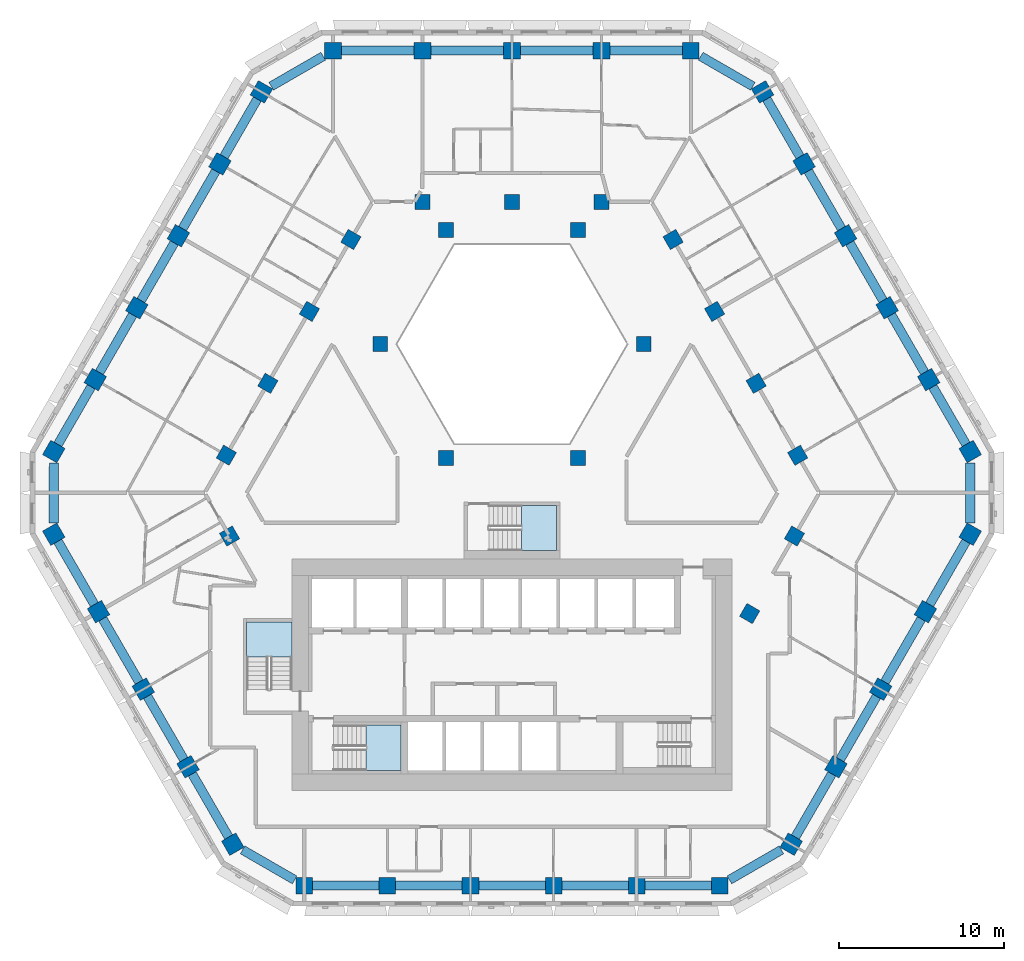
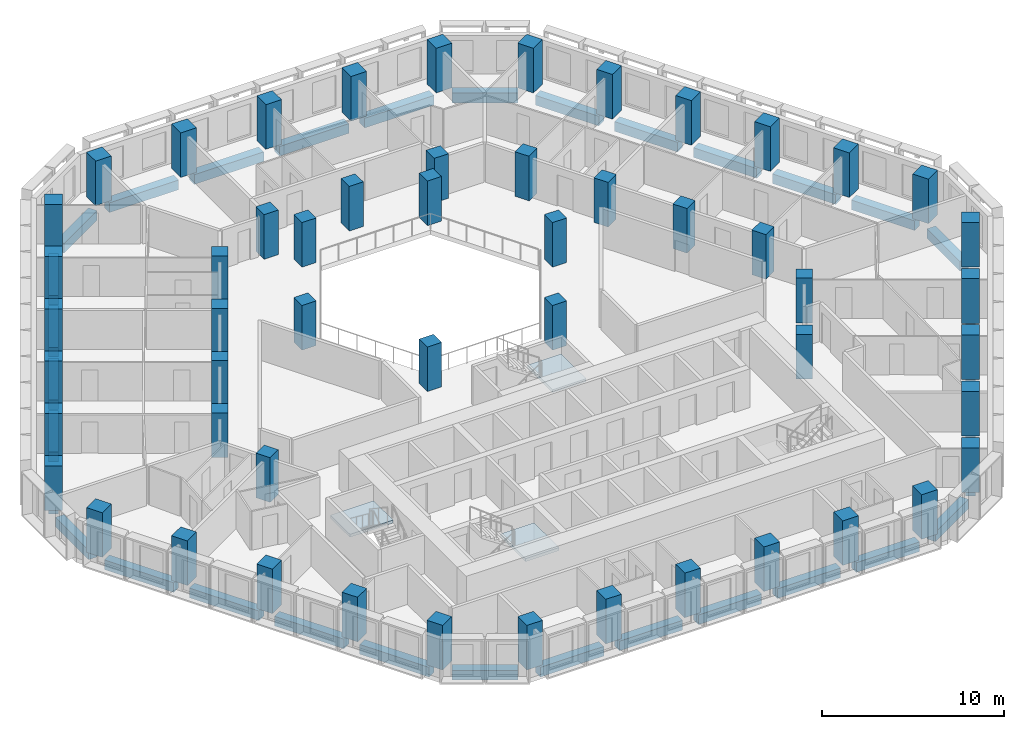
# One storey, part 1 of 18: 53 columns, 33 beams, 3 slabs, 3 elements without a shape of their own.
"""IFC4 building model written with IfcOpenShell, lengths in metres."""

from ifc_helpers import new_model, si_unit, direction, frame, origin, origin_2d, place, context, subcontext, project, spatial, polyline, rectangle, outline, extrude, material, layer, layer_set, material_profile, profile_set, type_object, element, aggregate, save


model = new_model("IFC4")

# Units and contexts
model_context = context("Model", 3, precision=1e-05, world=origin(), true_north=direction((0.0, 1.0)))
body_context = subcontext(model_context, "Body", "Model", "MODEL_VIEW")
ifc_project = project(units=[si_unit("LENGTHUNIT", "METRE"), si_unit("AREAUNIT", "SQUARE_METRE"), si_unit("VOLUMEUNIT", "CUBIC_METRE"), si_unit("PLANEANGLEUNIT", "RADIAN"), si_unit("MASSUNIT", "GRAM", prefix="KILO")], contexts=[model_context])

# Site, building, storey
site_placement = place(None, origin())
site = spatial("IfcSite", under=ifc_project, at=site_placement, CompositionType="ELEMENT")
building_placement = place(site_placement, origin())
building = spatial("IfcBuilding", under=site, at=building_placement, Name="Beryl Residences", CompositionType="ELEMENT")
storey_placement = place(building_placement, frame((0.0, 0.0, 105.0)))
storey = spatial("IfcBuildingStorey", under=building, at=storey_placement, Name="L32", CompositionType="ELEMENT", Elevation=105.0)

# Columns
ifc_material_1 = material(Name="Concrete C70/85", Category="concrete")
ifc_material_profile_1 = material_profile(ifc_material_1, rectangle(XDim=1.0, YDim=1.0, at=origin_2d()))
ifc_profile_set_1 = profile_set([ifc_material_profile_1], Name="Concrete C70/85")
column_type_1 = type_object("IfcColumnType", Name="C2 tube column 1000 x 1000 C70/85", PredefinedType="COLUMN", material=ifc_profile_set_1)
for number, where, z_axis, x_axis, name in (
    (1, (10.824951171875, 25.75, 0.0), (0.0, 0.0, 1.0), (-1.0, 0.0, 0.0), "C2-N1 L32"),
    (2, (5.412109375, 25.75, 0.0), (0.0, 0.0, 1.0), (-1.0, 0.0, 0.0), "C2-N2 L32"),
    (3, (-0.0009765625, 25.75, 0.0), (0.0, 0.0, 1.0), (-1.0, 0.0, 0.0), "C2-N3 L32"),
    (4, (-5.4140625, 25.75, 0.0), (0.0, 0.0, 1.0), (-1.0, 0.0, 0.0), "C2-N4 L32"),
    (5, (-10.826904296875, 25.75, 0.0), (0.0, 0.0, 1.0), (-1.0, 0.0, 0.0), "C2-N5 L32"),
    (6, (-15.155029296875, 23.2509765625, 0.0), (0.0, 0.0, 1.0), (-0.5, -0.866025403784, 0.0), "C2-NW1 L32"),
    (7, (-17.6669921875, 18.89990234375, 0.0), (0.0, 0.0, 1.0), (-0.5, -0.866025403784, 0.0), "C2-NW2 L32"),
    (8, (-20.177978515625, 14.550048828125, 0.0), (0.0, 0.0, 1.0), (-0.5, -0.866025403784, 0.0), "C2-NW3 L32"),
    (9, (-22.68994140625, 10.199951171875, 0.0), (0.0, 0.0, 1.0), (-0.5, -0.866025403784, 0.0), "C2-NW4 L32"),
    (10, (-25.201904296875, 5.85009765625, 0.0), (0.0, 0.0, 1.0), (-0.5, -0.866025403784, 0.0), "C2-NW5 L32"),
    (11, (-27.712890625, 1.5, 0.0), (0.0, 0.0, 1.0), (-0.5, -0.866025403784, 0.0), "C2-NW6 L32"),
    (12, (-27.714111328125, -3.4990234375, 0.0), (0.0, 0.0, 1.0), (0.5, -0.866025403784, 0.0), "C2-SW1 L32"),
    (13, (-25.007080078125, -8.18701171875, 0.0), (0.0, 0.0, 1.0), (0.5, -0.866025403784, 0.0), "C2-SW2 L32"),
    (14, (-22.300048828125, -12.875, 0.0), (0.0, 0.0, 1.0), (0.5, -0.866025403784, 0.0), "C2-SW3 L32"),
    (15, (-19.593994140625, -17.56298828125, 0.0), (0.0, 0.0, 1.0), (0.5, -0.866025403784, 0.0), "C2-SW4 L32"),
    (16, (-16.886962890625, -22.2509765625, 0.0), (0.0, 0.0, 1.0), (0.5, -0.866025403784, 0.0), "C2-SW5 L32"),
    (17, (-12.556884765625, -24.75, 0.0), (0.0, 0.0, 1.0), (1.0, 0.0, 0.0), "C2-S1 L32"),
    (18, (-7.533935546875, -24.75, 0.0), (0.0, 0.0, 1.0), (1.0, 0.0, 0.0), "C2-S2 L32"),
    (19, (-2.510986328125, -24.75, 0.0), (0.0, 0.0, 1.0), (1.0, 0.0, 0.0), "C2-S3 L32"),
    (20, (2.511962890625, -24.75, 0.0), (0.0, 0.0, 1.0), (1.0, 0.0, 0.0), "C2-S4 L32"),
    (21, (7.534912109375, -24.75, 0.0), (0.0, 0.0, 1.0), (1.0, 0.0, 0.0), "C2-S5 L32"),
    (22, (12.55810546875, -24.75, 0.0), (0.0, 0.0, 1.0), (1.0, 0.0, 0.0), "C2-S6 L32"),
    (23, (16.886962890625, -22.2509765625, 0.0), (0.0, 0.0, 1.0), (0.5, 0.866025403784, 0.0), "C2-SE1 L32"),
    (24, (19.593994140625, -17.56298828125, 0.0), (0.0, 0.0, 1.0), (0.5, 0.866025403784, 0.0), "C2-SE2 L32"),
    (25, (22.300048828125, -12.875, 0.0), (0.0, 0.0, 1.0), (0.5, 0.866025403784, 0.0), "C2-SE3 L32"),
    (26, (25.007080078125, -8.18701171875, 0.0), (0.0, 0.0, 1.0), (0.5, 0.866025403784, 0.0), "C2-SE4 L32"),
    (27, (27.714111328125, -3.4990234375, 0.0), (0.0, 0.0, 1.0), (0.5, 0.866025403784, 0.0), "C2-SE5 L32"),
    (28, (27.714111328125, 1.4990234375, 0.0), (0.0, 0.0, 1.0), (-0.5, 0.866025403784, 0.0), "C2-NE1 L32"),
    (29, (25.201904296875, 5.85009765625, 0.0), (0.0, 0.0, 1.0), (-0.5, 0.866025403784, 0.0), "C2-NE2 L32"),
    (30, (22.68994140625, 10.199951171875, 0.0), (0.0, 0.0, 1.0), (-0.5, 0.866025403784, 0.0), "C2-NE3 L32"),
    (31, (20.178955078125, 14.550048828125, 0.0), (0.0, 0.0, 1.0), (-0.5, 0.866025403784, 0.0), "C2-NE4 L32"),
    (32, (17.6669921875, 18.89990234375, 0.0), (0.0, 0.0, 1.0), (-0.5, 0.866025403784, 0.0), "C2-NE5 L32"),
    (33, (15.156005859375, 23.25, 0.0), (0.0, 0.0, 1.0), (-0.5, 0.866025403784, 0.0), "C2-NE6 L32"),
):
    element("IfcColumn", number, at=place(storey_placement, frame(where, z_axis=z_axis, x_axis=x_axis)), inside=storey, type_object=column_type_1, Name=name, PredefinedType="COLUMN", context=body_context, shape_type="SweptSolid", body=[
        extrude(rectangle(XDim=1.0, YDim=1.0, at=origin_2d()), origin(), (0.0, 0.0, 1.0), 3.0),
    ])
ifc_material_2 = material(Name="Concrete C70/85", Category="concrete")
ifc_material_profile_2 = material_profile(ifc_material_2, rectangle(XDim=0.89990234375, YDim=0.89990234375, at=origin_2d()))
ifc_profile_set_2 = profile_set([ifc_material_profile_2], Name="Concrete C70/85")
column_type_2 = type_object("IfcColumnType", Name="IC2 interior column 900 x 900 C70/85", PredefinedType="COLUMN", material=ifc_profile_set_2)
for number, where, z_axis, x_axis, name in (
    (34, (-17.0830078125, -3.612060546875, 0.0), (0.0, 0.0, 1.0), (0.5, -0.866025403784, 0.0), "IC2-M01 L32"),
    (35, (14.3759765625, -8.300048828125, 0.0), (0.0, 0.0, 1.0), (0.5, 0.866025403784, 0.0), "IC2-M02 L32"),
    (36, (17.0830078125, -3.612060546875, 0.0), (0.0, 0.0, 1.0), (0.5, 0.866025403784, 0.0), "IC2-M03 L32"),
    (37, (17.278076171875, 1.27392578125, 0.0), (0.0, 0.0, 1.0), (-0.5, 0.866025403784, 0.0), "IC2-M04 L32"),
    (38, (3.98388671875, 1.10009765625, 0.0), (0.0, 0.0, 1.0), (1.0, 0.0, 0.0), "IC2-A05 L32"),
    (39, (14.76611328125, 5.625, 0.0), (0.0, 0.0, 1.0), (-0.5, 0.866025403784, 0.0), "IC2-M06 L32"),
    (40, (12.2548828125, 9.97509765625, 0.0), (0.0, 0.0, 1.0), (-0.5, 0.866025403784, 0.0), "IC2-M07 L32"),
    (41, (7.967041015625, 8.0, 0.0), (0.0, 0.0, 1.0), (1.0, 0.0, 0.0), "IC2-A08 L32"),
    (42, (9.742919921875, 14.324951171875, 0.0), (0.0, 0.0, 1.0), (-0.5, 0.866025403784, 0.0), "IC2-M09 L32"),
    (43, (5.412109375, 16.60009765625, 0.0), (0.0, 0.0, 1.0), (-1.0, 0.0, 0.0), "IC2-M10 L32"),
    (44, (3.98388671875, 14.89990234375, 0.0), (0.0, 0.0, 1.0), (1.0, 0.0, 0.0), "IC2-A11 L32"),
    (45, (-0.0009765625, 16.60009765625, 0.0), (0.0, 0.0, 1.0), (-1.0, 0.0, 0.0), "IC2-M12 L32"),
    (46, (-3.98388671875, 14.89990234375, 0.0), (0.0, 0.0, 1.0), (1.0, 0.0, 0.0), "IC2-A13 L32"),
    (47, (-5.4140625, 16.60009765625, 0.0), (0.0, 0.0, 1.0), (-1.0, 0.0, 0.0), "IC2-M14 L32"),
    (48, (-9.742919921875, 14.324951171875, 0.0), (0.0, 0.0, 1.0), (-0.5, -0.866025403784, 0.0), "IC2-M15 L32"),
    (49, (-7.967041015625, 8.0, 0.0), (0.0, 0.0, 1.0), (1.0, 0.0, 0.0), "IC2-A16 L32"),
    (50, (-12.25390625, 9.97509765625, 0.0), (0.0, 0.0, 1.0), (-0.5, -0.866025403784, 0.0), "IC2-M17 L32"),
    (51, (-14.76611328125, 5.625, 0.0), (0.0, 0.0, 1.0), (-0.5, -0.866025403784, 0.0), "IC2-M18 L32"),
    (52, (-3.98388671875, 1.10009765625, 0.0), (0.0, 0.0, 1.0), (1.0, 0.0, 0.0), "IC2-A19 L32"),
    (53, (-17.277099609375, 1.27490234375, 0.0), (0.0, 0.0, 1.0), (-0.5, -0.866025403784, 0.0), "IC2-M20 L32"),
):
    element("IfcColumn", number, at=place(storey_placement, frame(where, z_axis=z_axis, x_axis=x_axis)), inside=storey, type_object=column_type_2, Name=name, PredefinedType="COLUMN", context=body_context, shape_type="SweptSolid", body=[
        extrude(rectangle(XDim=0.89990234375, YDim=0.89990234375, at=origin_2d()), origin(), (0.0, 0.0, 1.0), 3.0),
    ])

# Beams
ifc_material_3 = material(Name="Concrete C70/85", Category="concrete")
ifc_material_profile_3 = material_profile(ifc_material_3, rectangle(XDim=0.550048828125, YDim=0.64990234375, at=origin_2d()))
ifc_profile_set_3 = profile_set([ifc_material_profile_3], Name="Concrete C70/85")
beam_type = type_object("IfcBeamType", Name="SB2 spandrel beam 550 x 650 C70/85", PredefinedType="SPANDREL", material=ifc_profile_set_3)
beam_1_placement = place(storey_placement, frame((10.324951171875, 25.75, -0.625), z_axis=(-1.0, 0.0, 0.0), x_axis=(0.0, -1.0, 0.0)))
element("IfcBeam", 54, at=beam_1_placement, inside=storey, type_object=beam_type, Name="SB2 L32 N-0", PredefinedType="SPANDREL", context=body_context, shape_type="SweptSolid", body=[
    extrude(rectangle(XDim=0.550048828125, YDim=0.64990234375, at=origin_2d()), origin(), (0.0, 0.0, 1.0), 4.412841796875),
])
for number, where, z_axis, x_axis, name in (
    (55, (4.912109375, 25.75, -0.625), (-1.0, 0.0, 0.0), (0.0, -1.0, 0.0), "SB2 L32 N-1"),
    (56, (-0.5009765625, 25.75, -0.625), (-1.0, 0.0, 0.0), (0.0, -1.0, 0.0), "SB2 L32 N-2"),
):
    element("IfcBeam", number, at=place(storey_placement, frame(where, z_axis=z_axis, x_axis=x_axis)), inside=storey, type_object=beam_type, Name=name, PredefinedType="SPANDREL", context=body_context, shape_type="SweptSolid", body=[
        extrude(rectangle(XDim=0.550048828125, YDim=0.64990234375, at=origin_2d()), origin(), (0.0, 0.0, 1.0), 4.4130859375),
    ])
beam_2_placement = place(storey_placement, frame((-5.9140625, 25.75, -0.625), z_axis=(-1.0, 0.0, 0.0), x_axis=(0.0, -1.0, 0.0)))
element("IfcBeam", 57, at=beam_2_placement, inside=storey, type_object=beam_type, Name="SB2 L32 N-3", PredefinedType="SPANDREL", context=body_context, shape_type="SweptSolid", body=[
    extrude(rectangle(XDim=0.550048828125, YDim=0.64990234375, at=origin_2d()), origin(), (0.0, 0.0, 1.0), 4.412841796875),
])
beam_3_placement = place(storey_placement, frame((-11.41796875, 25.408935546875, -0.625), z_axis=(-0.865959503272, -0.500114125668, 0.0), x_axis=(0.500114125668, -0.865959503272, 0.0)))
element("IfcBeam", 58, at=beam_3_placement, inside=storey, type_object=beam_type, Name="SB2 L32 N-4", PredefinedType="SPANDREL", context=body_context, shape_type="SweptSolid", body=[
    extrude(rectangle(XDim=0.550048828125, YDim=0.64990234375, at=origin_2d()), origin(), (0.0, 0.0, 1.0), 3.633056640625),
])
beam_4_placement = place(storey_placement, frame((-15.405029296875, 22.818115234375, -0.625), z_axis=(-0.49996928203, -0.866043138087, 0.0), x_axis=(0.866043138087, -0.49996928203, 0.0)))
element("IfcBeam", 59, at=beam_4_placement, inside=storey, type_object=beam_type, Name="SB2 L32 NW-0", PredefinedType="SPANDREL", context=body_context, shape_type="SweptSolid", body=[
    extrude(rectangle(XDim=0.550048828125, YDim=0.64990234375, at=origin_2d()), origin(), (0.0, 0.0, 1.0), 4.024169921875),
])
beam_5_placement = place(storey_placement, frame((-17.9169921875, 18.467041015625, -0.625), z_axis=(-0.499892318183, -0.866087564985, 0.0), x_axis=(0.866087564985, -0.499892318183, 0.0)))
element("IfcBeam", 60, at=beam_5_placement, inside=storey, type_object=beam_type, Name="SB2 L32 NW-1", PredefinedType="SPANDREL", context=body_context, shape_type="SweptSolid", body=[
    extrude(rectangle(XDim=0.550048828125, YDim=0.64990234375, at=origin_2d()), origin(), (0.0, 0.0, 1.0), 4.02294921875),
])
beam_6_placement = place(storey_placement, frame((-20.427978515625, 14.116943359375, -0.625), z_axis=(-0.500100656611, -0.865967281863, 0.0), x_axis=(0.865967281863, -0.500100656611, 0.0)))
element("IfcBeam", 61, at=beam_6_placement, inside=storey, type_object=beam_type, Name="SB2 L32 NW-2", PredefinedType="SPANDREL", context=body_context, shape_type="SweptSolid", body=[
    extrude(rectangle(XDim=0.550048828125, YDim=0.64990234375, at=origin_2d()), origin(), (0.0, 0.0, 1.0), 4.023193359375),
])
beam_7_placement = place(storey_placement, frame((-22.93994140625, 9.76708984375, -0.625), z_axis=(-0.500074377092, -0.865982457891, 0.0), x_axis=(0.865982457891, -0.500074377092, 0.0)))
element("IfcBeam", 62, at=beam_7_placement, inside=storey, type_object=beam_type, Name="SB2 L32 NW-3", PredefinedType="SPANDREL", context=body_context, shape_type="SweptSolid", body=[
    extrude(rectangle(XDim=0.550048828125, YDim=0.64990234375, at=origin_2d()), origin(), (0.0, 0.0, 1.0), 4.0234375),
])
beam_8_placement = place(storey_placement, frame((-25.451904296875, 5.4169921875, -0.625), z_axis=(-0.499918594511, -0.866072398164, 0.0), x_axis=(0.866072398164, -0.499918594511, 0.0)))
element("IfcBeam", 63, at=beam_8_placement, inside=storey, type_object=beam_type, Name="SB2 L32 NW-4", PredefinedType="SPANDREL", context=body_context, shape_type="SweptSolid", body=[
    extrude(rectangle(XDim=0.550048828125, YDim=0.64990234375, at=origin_2d()), origin(), (0.0, 0.0, 1.0), 4.022705078125),
])
beam_9_placement = place(storey_placement, frame((-27.712890625, 0.81689453125, -0.625), z_axis=(-0.000336021486, -0.999999943545, 0.0), x_axis=(0.999999943545, -0.000336021486, 0.0)))
element("IfcBeam", 64, at=beam_9_placement, inside=storey, type_object=beam_type, Name="SB2 L32 NW-5", PredefinedType="SPANDREL", context=body_context, shape_type="SweptSolid", body=[
    extrude(rectangle(XDim=0.550048828125, YDim=0.64990234375, at=origin_2d()), origin(), (0.0, 0.0, 1.0), 3.6328125),
])
beam_10_placement = place(storey_placement, frame((-27.464111328125, -3.931884765625, -0.625), z_axis=(0.50006561292, -0.865987518834, 0.0), x_axis=(0.865987518834, 0.50006561292, 0.0)))
element("IfcBeam", 65, at=beam_10_placement, inside=storey, type_object=beam_type, Name="SB2 L32 SW-0", PredefinedType="SPANDREL", context=body_context, shape_type="SweptSolid", body=[
    extrude(rectangle(XDim=0.550048828125, YDim=0.64990234375, at=origin_2d()), origin(), (0.0, 0.0, 1.0), 4.41357421875),
])
beam_11_placement = place(storey_placement, frame((-24.757080078125, -8.6201171875, -0.625), z_axis=(0.500089568931, -0.865973684962, 0.0), x_axis=(0.865973684962, 0.500089568931, 0.0)))
element("IfcBeam", 66, at=beam_11_placement, inside=storey, type_object=beam_type, Name="SB2 L32 SW-1", PredefinedType="SPANDREL", context=body_context, shape_type="SweptSolid", body=[
    extrude(rectangle(XDim=0.550048828125, YDim=0.64990234375, at=origin_2d()), origin(), (0.0, 0.0, 1.0), 4.413330078125),
])
beam_12_placement = place(storey_placement, frame((-22.050048828125, -13.30810546875, -0.625), z_axis=(0.49992360228, -0.866069507536, 0.0), x_axis=(0.866069507536, 0.49992360228, 0.0)))
element("IfcBeam", 67, at=beam_12_placement, inside=storey, type_object=beam_type, Name="SB2 L32 SW-2", PredefinedType="SPANDREL", context=body_context, shape_type="SweptSolid", body=[
    extrude(rectangle(XDim=0.550048828125, YDim=0.64990234375, at=origin_2d()), origin(), (0.0, 0.0, 1.0), 4.412841796875),
])
beam_13_placement = place(storey_placement, frame((-19.343994140625, -17.99609375, -0.625), z_axis=(0.50006561292, -0.865987518834, 0.0), x_axis=(0.865987518834, 0.50006561292, 0.0)))
element("IfcBeam", 68, at=beam_13_placement, inside=storey, type_object=beam_type, Name="SB2 L32 SW-3", PredefinedType="SPANDREL", context=body_context, shape_type="SweptSolid", body=[
    extrude(rectangle(XDim=0.550048828125, YDim=0.64990234375, at=origin_2d()), origin(), (0.0, 0.0, 1.0), 4.41357421875),
])
beam_14_placement = place(storey_placement, frame((-16.2958984375, -22.592041015625, -0.625), z_axis=(0.866093873939, -0.499881387456, 0.0), x_axis=(0.499881387456, 0.866093873939, 0.0)))
element("IfcBeam", 69, at=beam_14_placement, inside=storey, type_object=beam_type, Name="SB2 L32 SW-4", PredefinedType="SPANDREL", context=body_context, shape_type="SweptSolid", body=[
    extrude(rectangle(XDim=0.550048828125, YDim=0.64990234375, at=origin_2d()), origin(), (0.0, 0.0, 1.0), 3.634765625),
])
for number, where, z_axis, x_axis, name in (
    (70, (-12.056884765625, -24.75, -0.625), (1.0, 0.0, 0.0), (0.0, 1.0, 0.0), "SB2 L32 S-0"),
    (71, (-7.033935546875, -24.75, -0.625), (1.0, 0.0, 0.0), (0.0, 1.0, 0.0), "SB2 L32 S-1"),
    (72, (-2.010986328125, -24.75, -0.625), (1.0, 0.0, 0.0), (0.0, 1.0, 0.0), "SB2 L32 S-2"),
    (73, (3.011962890625, -24.75, -0.625), (1.0, 0.0, 0.0), (0.0, 1.0, 0.0), "SB2 L32 S-3"),
):
    element("IfcBeam", number, at=place(storey_placement, frame(where, z_axis=z_axis, x_axis=x_axis)), inside=storey, type_object=beam_type, Name=name, PredefinedType="SPANDREL", context=body_context, shape_type="SweptSolid", body=[
        extrude(rectangle(XDim=0.550048828125, YDim=0.64990234375, at=origin_2d()), origin(), (0.0, 0.0, 1.0), 4.02294921875),
    ])
beam_15_placement = place(storey_placement, frame((8.034912109375, -24.75, -0.625), z_axis=(1.0, 0.0, 0.0), x_axis=(0.0, 1.0, 0.0)))
element("IfcBeam", 74, at=beam_15_placement, inside=storey, type_object=beam_type, Name="SB2 L32 S-4", PredefinedType="SPANDREL", context=body_context, shape_type="SweptSolid", body=[
    extrude(rectangle(XDim=0.550048828125, YDim=0.64990234375, at=origin_2d()), origin(), (0.0, 0.0, 1.0), 4.023193359375),
])
beam_16_placement = place(storey_placement, frame((13.14892578125, -24.408935546875, -0.625), z_axis=(0.866026712061, 0.499997733992, 0.0), x_axis=(-0.499997733992, 0.866026712061, 0.0)))
element("IfcBeam", 75, at=beam_16_placement, inside=storey, type_object=beam_type, Name="SB2 L32 S-5", PredefinedType="SPANDREL", context=body_context, shape_type="SweptSolid", body=[
    extrude(rectangle(XDim=0.550048828125, YDim=0.64990234375, at=origin_2d()), origin(), (0.0, 0.0, 1.0), 3.6337890625),
])
beam_17_placement = place(storey_placement, frame((17.136962890625, -21.818115234375, -0.625), z_axis=(0.50006561292, 0.865987518834, 0.0), x_axis=(-0.865987518834, 0.50006561292, 0.0)))
element("IfcBeam", 76, at=beam_17_placement, inside=storey, type_object=beam_type, Name="SB2 L32 SE-0", PredefinedType="SPANDREL", context=body_context, shape_type="SweptSolid", body=[
    extrude(rectangle(XDim=0.550048828125, YDim=0.64990234375, at=origin_2d()), origin(), (0.0, 0.0, 1.0), 4.41357421875),
])
beam_18_placement = place(storey_placement, frame((19.843994140625, -17.1298828125, -0.625), z_axis=(0.49992360228, 0.866069507536, 0.0), x_axis=(-0.866069507536, 0.49992360228, 0.0)))
element("IfcBeam", 77, at=beam_18_placement, inside=storey, type_object=beam_type, Name="SB2 L32 SE-1", PredefinedType="SPANDREL", context=body_context, shape_type="SweptSolid", body=[
    extrude(rectangle(XDim=0.550048828125, YDim=0.64990234375, at=origin_2d()), origin(), (0.0, 0.0, 1.0), 4.412841796875),
])
beam_19_placement = place(storey_placement, frame((22.550048828125, -12.44189453125, -0.625), z_axis=(0.500089568931, 0.865973684962, 0.0), x_axis=(-0.865973684962, 0.500089568931, 0.0)))
element("IfcBeam", 78, at=beam_19_placement, inside=storey, type_object=beam_type, Name="SB2 L32 SE-2", PredefinedType="SPANDREL", context=body_context, shape_type="SweptSolid", body=[
    extrude(rectangle(XDim=0.550048828125, YDim=0.64990234375, at=origin_2d()), origin(), (0.0, 0.0, 1.0), 4.413330078125),
])
beam_20_placement = place(storey_placement, frame((25.257080078125, -7.75390625, -0.625), z_axis=(0.50006561292, 0.865987518834, 0.0), x_axis=(-0.865987518834, 0.50006561292, 0.0)))
element("IfcBeam", 79, at=beam_20_placement, inside=storey, type_object=beam_type, Name="SB2 L32 SE-3", PredefinedType="SPANDREL", context=body_context, shape_type="SweptSolid", body=[
    extrude(rectangle(XDim=0.550048828125, YDim=0.64990234375, at=origin_2d()), origin(), (0.0, 0.0, 1.0), 4.41357421875),
])
beam_21_placement = place(storey_placement, frame((27.714111328125, -2.81591796875, -0.625), z_axis=(0.0, 1.0, 0.0), x_axis=(-1.0, 0.0, 0.0)))
element("IfcBeam", 80, at=beam_21_placement, inside=storey, type_object=beam_type, Name="SB2 L32 SE-4", PredefinedType="SPANDREL", context=body_context, shape_type="SweptSolid", body=[
    extrude(rectangle(XDim=0.550048828125, YDim=0.64990234375, at=origin_2d()), origin(), (0.0, 0.0, 1.0), 3.6318359375),
])
beam_22_placement = place(storey_placement, frame((27.464111328125, 1.931884765625, -0.625), z_axis=(-0.500014783214, 0.866016868524, 0.0), x_axis=(-0.866016868524, -0.500014783214, 0.0)))
element("IfcBeam", 81, at=beam_22_placement, inside=storey, type_object=beam_type, Name="SB2 L32 NE-0", PredefinedType="SPANDREL", context=body_context, shape_type="SweptSolid", body=[
    extrude(rectangle(XDim=0.550048828125, YDim=0.64990234375, at=origin_2d()), origin(), (0.0, 0.0, 1.0), 4.0244140625),
])
beam_23_placement = place(storey_placement, frame((24.951904296875, 6.282958984375, -0.625), z_axis=(-0.500074377092, 0.865982457891, 0.0), x_axis=(-0.865982457891, -0.500074377092, 0.0)))
element("IfcBeam", 82, at=beam_23_placement, inside=storey, type_object=beam_type, Name="SB2 L32 NE-1", PredefinedType="SPANDREL", context=body_context, shape_type="SweptSolid", body=[
    extrude(rectangle(XDim=0.550048828125, YDim=0.64990234375, at=origin_2d()), origin(), (0.0, 0.0, 1.0), 4.0234375),
])
beam_24_placement = place(storey_placement, frame((22.43994140625, 10.633056640625, -0.625), z_axis=(-0.499918594511, 0.866072398164, 0.0), x_axis=(-0.866072398164, -0.499918594511, 0.0)))
element("IfcBeam", 83, at=beam_24_placement, inside=storey, type_object=beam_type, Name="SB2 L32 NE-2", PredefinedType="SPANDREL", context=body_context, shape_type="SweptSolid", body=[
    extrude(rectangle(XDim=0.550048828125, YDim=0.64990234375, at=origin_2d()), origin(), (0.0, 0.0, 1.0), 4.022705078125),
])
beam_25_placement = place(storey_placement, frame((19.928955078125, 14.98291015625, -0.625), z_axis=(-0.500074377092, 0.865982457891, 0.0), x_axis=(-0.865982457891, -0.500074377092, 0.0)))
element("IfcBeam", 84, at=beam_25_placement, inside=storey, type_object=beam_type, Name="SB2 L32 NE-3", PredefinedType="SPANDREL", context=body_context, shape_type="SweptSolid", body=[
    extrude(rectangle(XDim=0.550048828125, YDim=0.64990234375, at=origin_2d()), origin(), (0.0, 0.0, 1.0), 4.0234375),
])
beam_26_placement = place(storey_placement, frame((17.4169921875, 19.3330078125, -0.625), z_axis=(-0.499918594511, 0.866072398164, 0.0), x_axis=(-0.866072398164, -0.499918594511, 0.0)))
element("IfcBeam", 85, at=beam_26_placement, inside=storey, type_object=beam_type, Name="SB2 L32 NE-4", PredefinedType="SPANDREL", context=body_context, shape_type="SweptSolid", body=[
    extrude(rectangle(XDim=0.550048828125, YDim=0.64990234375, at=origin_2d()), origin(), (0.0, 0.0, 1.0), 4.022705078125),
])
beam_27_placement = place(storey_placement, frame((14.56494140625, 23.591064453125, -0.625), z_axis=(-0.866044702259, 0.499966572571, 0.0), x_axis=(-0.499966572571, -0.866044702259, 0.0)))
element("IfcBeam", 86, at=beam_27_placement, inside=storey, type_object=beam_type, Name="SB2 L32 NE-5", PredefinedType="SPANDREL", context=body_context, shape_type="SweptSolid", body=[
    extrude(rectangle(XDim=0.550048828125, YDim=0.64990234375, at=origin_2d()), origin(), (0.0, 0.0, 1.0), 3.635986328125),
])

# Stair, slab
ifc_material_4 = material(Name="Concrete C40/50", Category="concrete")
stair_type = type_object("IfcStairType", Name="ST1 protected exit stair, half-turn, 1300 mm flights", PredefinedType="HALF_TURN_STAIR", material=ifc_material_4)
stair_1_placement = place(storey_placement, origin())
stair_1 = element("IfcStair", 87, at=stair_1_placement, inside=storey, type_object=stair_type, Name="L32 PROTECTED EXIT STAIR ST-1", PredefinedType="HALF_TURN_STAIR")
ifc_material_5 = material(Name="Concrete C40/50", Category="concrete")
ifc_layer = layer(ifc_material_5, 0.199951171875)
ifc_layer_set = layer_set([ifc_layer], Name="SLD1 stair landing 200 mm")
slab_type = type_object("IfcSlabType", Name="SLD1 stair landing 200 mm", PredefinedType="LANDING", material=ifc_layer_set)
slab_1_placement = place(storey_placement, frame((0.0, 0.0, 1.300048828125)))
slab_1 = element("IfcSlab", 88, at=slab_1_placement, type_object=slab_type, Name="ST-1 landing 1", PredefinedType="LANDING", context=body_context, shape_type="SweptSolid", body=[
    extrude(outline(polyline([(-8.840087890625, -17.800048828125), (-6.699951171875, -17.800048828125), (-6.699951171875, -15.050048828125), (-8.840087890625, -15.050048828125), (-8.840087890625, -17.800048828125)])), origin(), (0.0, 0.0, 1.0), 0.199951171875),
])
aggregate(stair_1, [slab_1])

stair_2_placement = place(storey_placement, origin())
stair_2 = element("IfcStair", 89, at=stair_2_placement, inside=storey, type_object=stair_type, Name="L32 PROTECTED EXIT STAIR ST-2", PredefinedType="HALF_TURN_STAIR")
slab_2_placement = place(storey_placement, frame((0.0, 0.0, 1.300048828125)))
slab_2 = element("IfcSlab", 90, at=slab_2_placement, type_object=slab_type, Name="ST-2 landing 1", PredefinedType="LANDING", context=body_context, shape_type="SweptSolid", body=[
    extrude(outline(polyline([(-13.300048828125, -10.93994140625), (-13.300048828125, -8.800048828125), (-16.050048828125, -8.800048828125), (-16.050048828125, -10.93994140625), (-13.300048828125, -10.93994140625)])), origin(), (0.0, 0.0, 1.0), 0.199951171875),
])
aggregate(stair_2, [slab_2])

stair_3_placement = place(storey_placement, origin())
stair_3 = element("IfcStair", 91, at=stair_3_placement, inside=storey, type_object=stair_type, Name="L32 PROTECTED EXIT STAIR ST-4", PredefinedType="HALF_TURN_STAIR")
slab_3_placement = place(storey_placement, frame((0.0, 0.0, 1.300048828125)))
slab_3 = element("IfcSlab", 92, at=slab_3_placement, type_object=slab_type, Name="ST-4 landing 1", PredefinedType="LANDING", context=body_context, shape_type="SweptSolid", body=[
    extrude(outline(polyline([(0.56005859375, -4.5), (2.699951171875, -4.5), (2.699951171875, -1.75), (0.56005859375, -1.75), (0.56005859375, -4.5)])), origin(), (0.0, 0.0, 1.0), 0.199951171875),
])
aggregate(stair_3, [slab_3])

save(model, "model.ifc")
